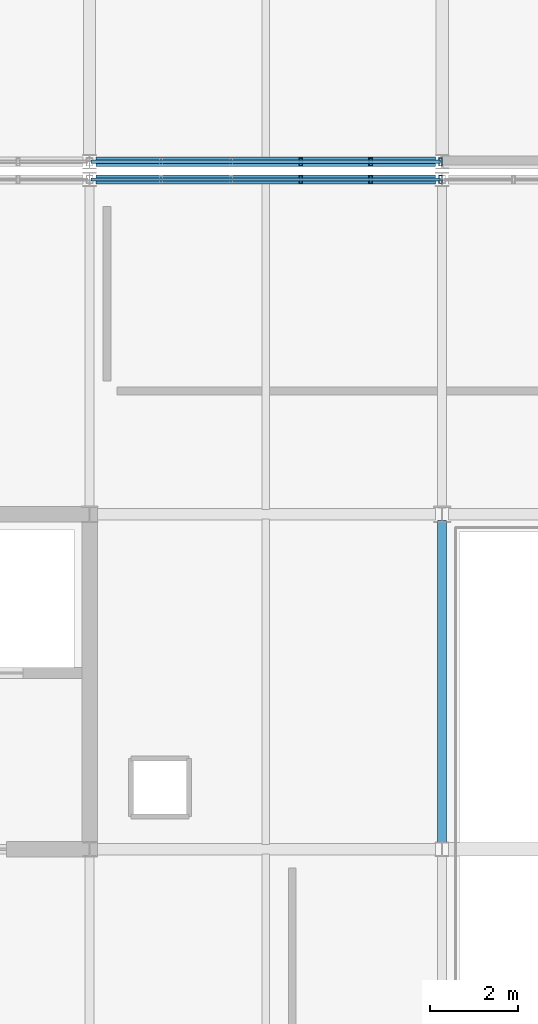
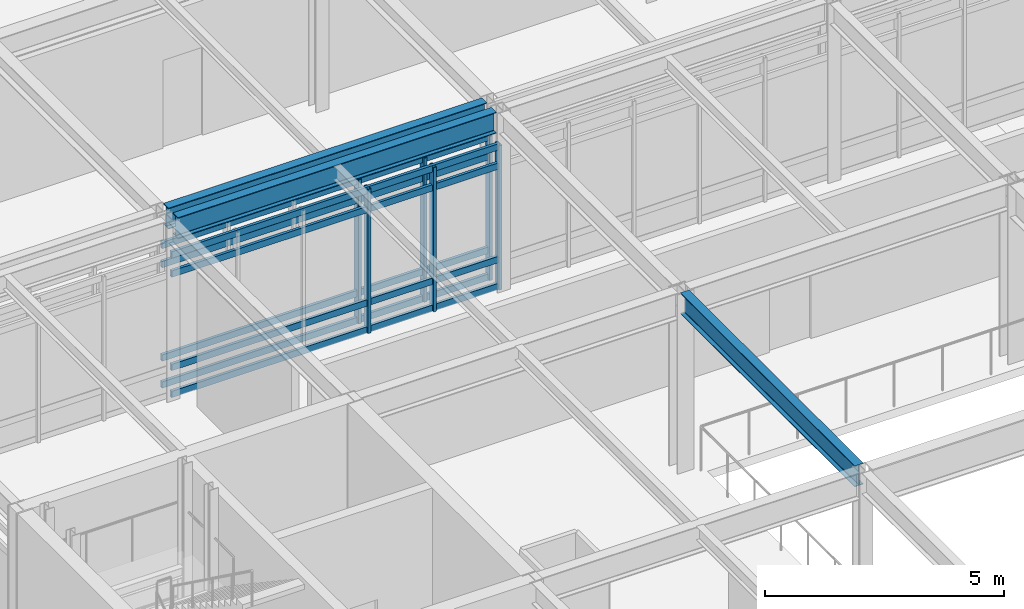
# One storey, part 47 of 104: 14 members, 3 beams, 2 elements without a shape of their own.
"""IFC4 building model written with IfcOpenShell, lengths in metres."""

from ifc_helpers import new_model, si_unit, direction, frame, origin, origin_2d, place, context, subcontext, project, spatial, hollow_rectangle, i_section, extrude, material, material_profile, profile_set, type_object, element, aggregate, save


model = new_model("IFC4")

# Units and contexts
model_context = context("Model", 3, precision=1e-05, world=origin(), true_north=direction((0.0, 1.0)))
body_context = subcontext(model_context, "Body", "Model", "MODEL_VIEW")
ifc_project = project(units=[si_unit("LENGTHUNIT", "METRE"), si_unit("AREAUNIT", "SQUARE_METRE"), si_unit("VOLUMEUNIT", "CUBIC_METRE"), si_unit("PLANEANGLEUNIT", "RADIAN"), si_unit("MASSUNIT", "GRAM", prefix="KILO")], contexts=[model_context])

# Site, building, storey
site_placement = place(None, origin())
site = spatial("IfcSite", under=ifc_project, at=site_placement, CompositionType="ELEMENT")
building_placement = place(site_placement, origin())
building = spatial("IfcBuilding", under=site, at=building_placement, Name="Zulena Civic Courthouse", CompositionType="ELEMENT")
storey_placement = place(building_placement, frame((0.0, 0.0, 15.60009765625)))
storey = spatial("IfcBuildingStorey", under=building, at=storey_placement, Name="L03", CompositionType="ELEMENT", Elevation=15.60009765625)

# Curtain wall, members
ifc_material_1 = material(Name="Double-silver low-E laminated solar-control glass", Category="glass")
curtain_wall_type = type_object("IfcCurtainWallType", Name="CW_7928x3690", PredefinedType="USERDEFINED", material=ifc_material_1)
curtain_wall_1_placement = place(storey_placement, origin())
curtain_wall_1 = element("IfcCurtainWall", 1, at=curtain_wall_1_placement, inside=storey, type_object=curtain_wall_type, Name="cw:V4:L03:1:1", ObjectType="UNITISED CURTAIN WALL", PredefinedType="USERDEFINED")
ifc_material_2 = material(Name="Bronze anodised thermally broken aluminium AA6063-T6", Category="aluminium")
ifc_material_profile_1 = material_profile(ifc_material_2, hollow_rectangle(XDim=0.074951171875, YDim=0.179931640625, WallThickness=0.0048828125, at=origin_2d()), Name="CWM180X75X5")
ifc_profile_set_1 = profile_set([ifc_material_profile_1], Name="Bronze anodised thermally broken aluminium AA6063-T6")
member_type_1 = type_object("IfcMemberType", Name="CWMullion_180x75", PredefinedType="MULLION", material=ifc_profile_set_1)
member_1_placement = place(storey_placement, frame((80.792724609375, 45.60009765625, 0.0), z_axis=(0.0, 0.0, 1.0), x_axis=(1.0, 0.0, 0.0)))
member_1 = element("IfcMember", 2, at=member_1_placement, type_object=member_type_1, Name="cw:V4:L03:1:1:mull:3", PredefinedType="MULLION", context=body_context, shape_type="SweptSolid", body=[
    extrude(hollow_rectangle(XDim=0.074951171875, YDim=0.179931640625, WallThickness=0.0048828125, at=origin_2d()), origin(), (0.0, 0.0, 1.0), 3.68994140625),
])
member_2_placement = place(storey_placement, frame((82.37841796875, 45.60009765625, 0.0), z_axis=(0.0, 0.0, 1.0), x_axis=(1.0, 0.0, 0.0)))
member_2 = element("IfcMember", 3, at=member_2_placement, type_object=member_type_1, Name="cw:V4:L03:1:1:mull:4", PredefinedType="MULLION", context=body_context, shape_type="SweptSolid", body=[
    extrude(hollow_rectangle(XDim=0.074951171875, YDim=0.179931640625, WallThickness=0.0048828125, at=origin_2d()), origin(), (0.0, 0.0, 1.0), 3.68994140625),
])
member_3_placement = place(storey_placement, frame((83.964111328125, 45.60009765625, 0.0), z_axis=(0.0, 0.0, 1.0), x_axis=(1.0, 0.0, 0.0)))
member_3 = element("IfcMember", 4, at=member_3_placement, type_object=member_type_1, Name="cw:V4:L03:1:1:mull:5", PredefinedType="MULLION", context=body_context, shape_type="SweptSolid", body=[
    extrude(hollow_rectangle(XDim=0.074951171875, YDim=0.179931640625, WallThickness=0.0048828125, at=origin_2d()), origin(), (0.0, 0.0, 1.0), 3.68994140625),
])

curtain_wall_2_placement = place(storey_placement, origin())
curtain_wall_2 = element("IfcCurtainWall", 5, at=curtain_wall_2_placement, inside=storey, type_object=curtain_wall_type, Name="cw:V5:L03:5:3", ObjectType="UNITISED CURTAIN WALL", PredefinedType="USERDEFINED")
member_4_placement = place(storey_placement, frame((83.964111328125, 46.0, 0.0), z_axis=(0.0, 0.0, 1.0), x_axis=(1.0, 0.0, 0.0)))
member_4 = element("IfcMember", 6, at=member_4_placement, type_object=member_type_1, Name="cw:V5:L03:5:3:mull:0", PredefinedType="MULLION", context=body_context, shape_type="SweptSolid", body=[
    extrude(hollow_rectangle(XDim=0.074951171875, YDim=0.179931640625, WallThickness=0.0048828125, at=origin_2d()), origin(), (0.0, 0.0, 1.0), 3.68994140625),
])
member_5_placement = place(storey_placement, frame((82.37841796875, 46.0, 0.0), z_axis=(0.0, 0.0, 1.0), x_axis=(1.0, 0.0, 0.0)))
member_5 = element("IfcMember", 7, at=member_5_placement, type_object=member_type_1, Name="cw:V5:L03:5:3:mull:1", PredefinedType="MULLION", context=body_context, shape_type="SweptSolid", body=[
    extrude(hollow_rectangle(XDim=0.074951171875, YDim=0.179931640625, WallThickness=0.0048828125, at=origin_2d()), origin(), (0.0, 0.0, 1.0), 3.68994140625),
])
member_6_placement = place(storey_placement, frame((80.792724609375, 46.0, 0.0), z_axis=(0.0, 0.0, 1.0), x_axis=(1.0, 0.0, 0.0)))
member_6 = element("IfcMember", 8, at=member_6_placement, type_object=member_type_1, Name="cw:V5:L03:5:3:mull:2", PredefinedType="MULLION", context=body_context, shape_type="SweptSolid", body=[
    extrude(hollow_rectangle(XDim=0.074951171875, YDim=0.179931640625, WallThickness=0.0048828125, at=origin_2d()), origin(), (0.0, 0.0, 1.0), 3.68994140625),
])

# Member
ifc_material_profile_2 = material_profile(ifc_material_2, hollow_rectangle(XDim=0.070068359375, YDim=0.1650390625, WallThickness=0.00390625, at=origin_2d()), Name="CWT165X70X4")
ifc_profile_set_2 = profile_set([ifc_material_profile_2], Name="Bronze anodised thermally broken aluminium AA6063-T6")
member_type_2 = type_object("IfcMemberType", Name="CWTransom_165x70", PredefinedType="USERDEFINED", material=ifc_profile_set_2)
member_7_placement = place(storey_placement, frame((76.035888671875, 45.60009765625, 0.059814453125), z_axis=(1.0, 0.0, 0.0), x_axis=(0.0, 1.0, 0.0)))
member_7 = element("IfcMember", 9, at=member_7_placement, type_object=member_type_2, Name="cw:V4:L03:1:1:tran:0", ObjectType="TRANSOM", PredefinedType="USERDEFINED", context=body_context, shape_type="SweptSolid", body=[
    extrude(hollow_rectangle(XDim=0.070068359375, YDim=0.1650390625, WallThickness=0.00390625, at=origin_2d()), origin(), (0.0, 0.0, 1.0), 7.92822265625),
])

member_8_placement = place(storey_placement, frame((76.035888671875, 45.60009765625, 0.75), z_axis=(1.0, 0.0, 0.0), x_axis=(0.0, 1.0, 0.0)))
member_8 = element("IfcMember", 10, at=member_8_placement, type_object=member_type_2, Name="cw:V4:L03:1:1:tran:1", ObjectType="TRANSOM", PredefinedType="USERDEFINED", context=body_context, shape_type="SweptSolid", body=[
    extrude(hollow_rectangle(XDim=0.070068359375, YDim=0.1650390625, WallThickness=0.00390625, at=origin_2d()), origin(), (0.0, 0.0, 1.0), 7.92822265625),
])

member_9_placement = place(storey_placement, frame((76.035888671875, 45.60009765625, 3.139892578125), z_axis=(1.0, 0.0, 0.0), x_axis=(0.0, 1.0, 0.0)))
member_9 = element("IfcMember", 11, at=member_9_placement, type_object=member_type_2, Name="cw:V4:L03:1:1:tran:2", ObjectType="TRANSOM", PredefinedType="USERDEFINED", context=body_context, shape_type="SweptSolid", body=[
    extrude(hollow_rectangle(XDim=0.070068359375, YDim=0.1650390625, WallThickness=0.00390625, at=origin_2d()), origin(), (0.0, 0.0, 1.0), 7.92822265625),
])

member_10_placement = place(storey_placement, frame((76.035888671875, 45.60009765625, 3.6298828125), z_axis=(1.0, 0.0, 0.0), x_axis=(0.0, 1.0, 0.0)))
member_10 = element("IfcMember", 12, at=member_10_placement, type_object=member_type_2, Name="cw:V4:L03:1:1:tran:3", ObjectType="TRANSOM", PredefinedType="USERDEFINED", context=body_context, shape_type="SweptSolid", body=[
    extrude(hollow_rectangle(XDim=0.070068359375, YDim=0.1650390625, WallThickness=0.00390625, at=origin_2d()), origin(), (0.0, 0.0, 1.0), 7.92822265625),
])

aggregate(curtain_wall_1, [member_1, member_2, member_3, member_7, member_8, member_9, member_10])

member_11_placement = place(storey_placement, frame((83.964111328125, 46.0, 0.059814453125), z_axis=(-1.0, 0.0, 0.0), x_axis=(0.0, -1.0, 0.0)))
member_11 = element("IfcMember", 13, at=member_11_placement, type_object=member_type_2, Name="cw:V5:L03:5:3:tran:0", ObjectType="TRANSOM", PredefinedType="USERDEFINED", context=body_context, shape_type="SweptSolid", body=[
    extrude(hollow_rectangle(XDim=0.070068359375, YDim=0.1650390625, WallThickness=0.00390625, at=origin_2d()), origin(), (0.0, 0.0, 1.0), 7.92822265625),
])

member_12_placement = place(storey_placement, frame((83.964111328125, 46.0, 0.75), z_axis=(-1.0, 0.0, 0.0), x_axis=(0.0, -1.0, 0.0)))
member_12 = element("IfcMember", 14, at=member_12_placement, type_object=member_type_2, Name="cw:V5:L03:5:3:tran:1", ObjectType="TRANSOM", PredefinedType="USERDEFINED", context=body_context, shape_type="SweptSolid", body=[
    extrude(hollow_rectangle(XDim=0.070068359375, YDim=0.1650390625, WallThickness=0.00390625, at=origin_2d()), origin(), (0.0, 0.0, 1.0), 7.92822265625),
])

member_13_placement = place(storey_placement, frame((83.964111328125, 46.0, 3.139892578125), z_axis=(-1.0, 0.0, 0.0), x_axis=(0.0, -1.0, 0.0)))
member_13 = element("IfcMember", 15, at=member_13_placement, type_object=member_type_2, Name="cw:V5:L03:5:3:tran:2", ObjectType="TRANSOM", PredefinedType="USERDEFINED", context=body_context, shape_type="SweptSolid", body=[
    extrude(hollow_rectangle(XDim=0.070068359375, YDim=0.1650390625, WallThickness=0.00390625, at=origin_2d()), origin(), (0.0, 0.0, 1.0), 7.92822265625),
])

member_14_placement = place(storey_placement, frame((83.964111328125, 46.0, 3.6298828125), z_axis=(-1.0, 0.0, 0.0), x_axis=(0.0, -1.0, 0.0)))
member_14 = element("IfcMember", 16, at=member_14_placement, type_object=member_type_2, Name="cw:V5:L03:5:3:tran:3", ObjectType="TRANSOM", PredefinedType="USERDEFINED", context=body_context, shape_type="SweptSolid", body=[
    extrude(hollow_rectangle(XDim=0.070068359375, YDim=0.1650390625, WallThickness=0.00390625, at=origin_2d()), origin(), (0.0, 0.0, 1.0), 7.92822265625),
])

aggregate(curtain_wall_2, [member_4, member_5, member_6, member_11, member_12, member_13, member_14])

# Beams
ifc_material_3 = material(Name="Steel ASTM A992 Grade 50", Category="steel")
ifc_material_profile_3 = material_profile(ifc_material_3, i_section(OverallWidth=0.2099609375, OverallDepth=0.537109375, WebThickness=0.010986328125, FlangeThickness=0.017333984375, FilletRadius=0.0126953125, at=origin_2d()), Name="W21X68")
ifc_profile_set_3 = profile_set([ifc_material_profile_3], Name="Steel ASTM A992 Grade 50")
beam_type_1 = type_object("IfcBeamType", Name="Girder_W21X68", PredefinedType="BEAM", material=ifc_profile_set_3)
beam_placement = place(storey_placement, frame((84.0, 30.544921875, 4.3212890625), z_axis=(0.0, 1.0, 0.0), x_axis=(-1.0, 0.0, 0.0)))
element("IfcBeam", 17, at=beam_placement, inside=storey, type_object=beam_type_1, Name="beam:Y:V4:L03:84.0:30.4_38.0", PredefinedType="BEAM", context=body_context, shape_type="SweptSolid", body=[
    extrude(i_section(OverallWidth=0.2099609375, OverallDepth=0.537109375, WebThickness=0.010986328125, FlangeThickness=0.017333984375, FilletRadius=0.0126953125, at=origin_2d()), origin(), (0.0, 0.0, 1.0), 7.31005859375),
])
ifc_material_profile_4 = material_profile(ifc_material_3, i_section(OverallWidth=0.2099609375, OverallDepth=0.537109375, WebThickness=0.010986328125, FlangeThickness=0.017333984375, FilletRadius=0.0126953125, at=origin_2d()), Name="W21X68")
ifc_profile_set_4 = profile_set([ifc_material_profile_4], Name="Steel ASTM A992 Grade 50")
beam_type_2 = type_object("IfcBeamType", Name="Spandrel_W21X68", PredefinedType="SPANDREL", material=ifc_profile_set_4)
for number, where, z_axis, x_axis, name in (
    (18, (76.14501953125, 45.60009765625, 4.3212890625), (1.0, 0.0, 0.0), (0.0, 1.0, 0.0), "beam:X:V4:L03:45.6:76.0_84.0"),
    (19, (76.14501953125, 46.0, 4.3212890625), (1.0, 0.0, 0.0), (0.0, 1.0, 0.0), "beam:X:V5:L03:46.0:76.0_84.0"),
):
    element("IfcBeam", number, at=place(storey_placement, frame(where, z_axis=z_axis, x_axis=x_axis)), inside=storey, type_object=beam_type_2, Name=name, PredefinedType="SPANDREL", context=body_context, shape_type="SweptSolid", body=[
        extrude(i_section(OverallWidth=0.2099609375, OverallDepth=0.537109375, WebThickness=0.010986328125, FlangeThickness=0.017333984375, FilletRadius=0.0126953125, at=origin_2d()), origin(), (0.0, 0.0, 1.0), 7.7099609375),
    ])

save(model, "model.ifc")
